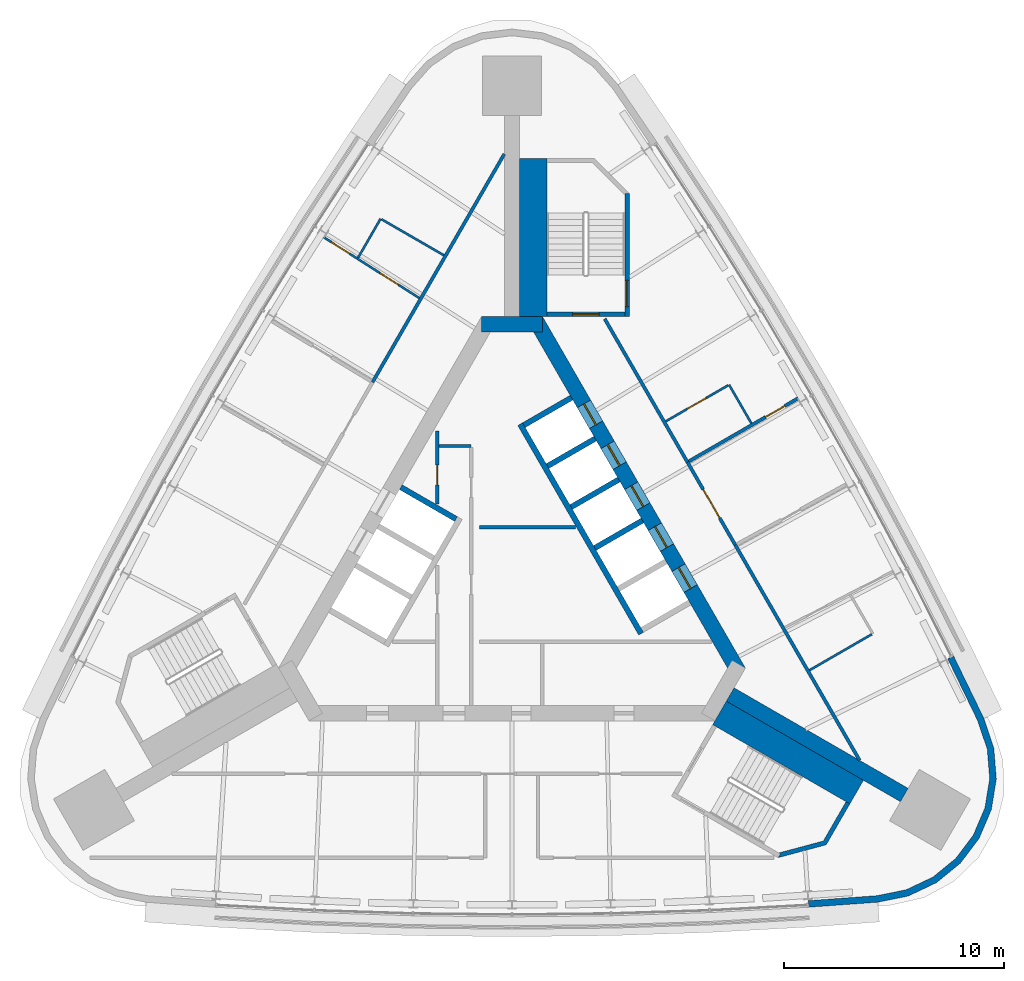
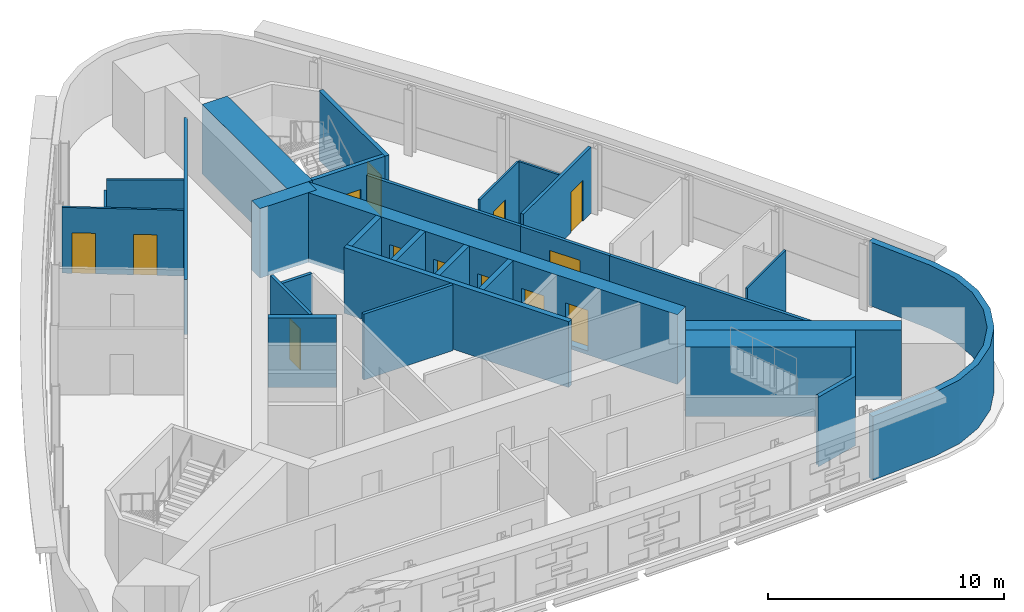
# One storey, part 8 of 10: 29 walls, 13 doors, 13 openings.
"""IFC4 building model written with IfcOpenShell, lengths in metres."""

from ifc_helpers import new_model, si_unit, direction, frame, frame_2d, origin, place, context, subcontext, project, spatial, polyline, rectangle, outline, extrude, material, layer, layer_set, type_object, element, fill, save


model = new_model("IFC4")

# Units and contexts
model_context = context("Model", 3, precision=1e-05, world=origin(), true_north=direction((0.0, 1.0)))
body_context = subcontext(model_context, "Body", "Model", "MODEL_VIEW")
ifc_project = project(units=[si_unit("LENGTHUNIT", "METRE"), si_unit("AREAUNIT", "SQUARE_METRE"), si_unit("VOLUMEUNIT", "CUBIC_METRE"), si_unit("PLANEANGLEUNIT", "RADIAN"), si_unit("MASSUNIT", "GRAM", prefix="KILO")], contexts=[model_context])

# Site, building, storey
site_placement = place(None, origin())
site = spatial("IfcSite", under=ifc_project, at=site_placement, CompositionType="ELEMENT")
building_placement = place(site_placement, origin())
building = spatial("IfcBuilding", under=site, at=building_placement, Name="Noor Cloister Tower", CompositionType="ELEMENT")
storey_placement = place(building_placement, frame((0.0, 0.0, 192.300048828125)))
storey = spatial("IfcBuildingStorey", under=building, at=storey_placement, Name="L49", CompositionType="ELEMENT", Elevation=192.300048828125)

# Wall
ifc_material_1 = material(Name="Concrete C70/85", Category="concrete")
ifc_layer_1 = layer(ifc_material_1, 0.699951171875)
ifc_layer_set_1 = layer_set([ifc_layer_1], Name="Buttress wall 700 C70/85")
wall_type_1 = type_object("IfcWallType", Name="Buttress wall 700 C70/85", PredefinedType="SHEAR", material=ifc_layer_set_1)
wall_1_placement = place(storey_placement, frame((9.921630859375, -5.728271484375, -0.199951171875), z_axis=(0.0, 0.0, 1.0), x_axis=(0.866026421479, -0.499998237297, 0.0)))
element("IfcWall", 1, at=wall_1_placement, inside=storey, type_object=wall_type_1, Name="Buttress wall SE L49", PredefinedType="SHEAR", context=body_context, shape_type="SweptSolid", body=[
    extrude(rectangle(XDim=9.14453125, YDim=0.699951171875, at=frame_2d((4.572265625, 0.0))), origin(), (0.0, 0.0, 1.0), 3.599853515625),
])

# Wall, opening, door
ifc_material_2 = material(Name="Concrete C30/37", Category="concrete")
ifc_layer_2 = layer(ifc_material_2, 0.14990234375)
ifc_layer_set_2 = layer_set([ifc_layer_2], Name="Core partition 150 C30/37")
wall_type_2 = type_object("IfcWallType", Name="Core partition 150 C30/37", PredefinedType="PARTITIONING", material=ifc_layer_set_2)
wall_2_placement = place(storey_placement, frame((-3.40380859375, 6.260986328125, 0.0), z_axis=(0.0, 0.0, 1.0), x_axis=(0.0, -1.0, 0.0)))
wall_2 = element("IfcWall", 2, at=wall_2_placement, inside=storey, type_object=wall_type_2, Name="Core room partition L49 3", PredefinedType="PARTITIONING", context=body_context, shape_type="SweptSolid", body=[
    extrude(rectangle(XDim=3.3271484375, YDim=0.14990234375, at=frame_2d((1.66357421875, 0.0))), origin(), (0.0, 0.0, 1.0), 3.39990234375),
])
opening_1_placement = place(wall_2_placement, frame((1.55712890625, 0.0, 0.0)))
opening_1 = element("IfcOpeningElement", 3, at=opening_1_placement, cuts=wall_2, Name="Opening L49-907", PredefinedType="OPENING", context=body_context, shape_type="SweptSolid", body=[
    extrude(rectangle(XDim=0.89990234375, YDim=2.10009765625, at=frame_2d((0.449951171875, 1.050048828125))), frame((0.0, 0.0849609375, 0.0), z_axis=(0.0, -1.0, 0.0), x_axis=(1.0, 0.0, 0.0)), (0.0, 0.0, 1.0), 0.169921875),
])
ifc_material_3 = material(Name="Steel", Category="steel")
door_type_1 = type_object("IfcDoorType", Name="Core door 900 x 2100 FD120", OperationType="SINGLE_SWING_LEFT", PredefinedType="DOOR", material=ifc_material_3)
door_1_placement = place(opening_1_placement, origin())
door_1 = element("IfcDoor", 4, at=door_1_placement, inside=storey, type_object=door_type_1, Name="Core door 7 L49", OperationType="SINGLE_SWING_LEFT", OverallHeight=2.10009765625, OverallWidth=0.89990234375, PredefinedType="DOOR", context=body_context, shape_type="SweptSolid", body=[
    extrude(rectangle(XDim=0.89990234375, YDim=2.10009765625, at=frame_2d((0.449951171875, 1.050048828125))), frame((0.0, 0.02490234375, 0.0), z_axis=(0.0, -1.0, 0.0), x_axis=(1.0, 0.0, 0.0)), (0.0, 0.0, 1.0), 0.050048828125),
])
fill(opening_1, door_1)

# Walls
wall_3_placement = place(storey_placement, frame((-3.32861328125, 5.57177734375, 0.0), z_axis=(0.0, 0.0, 1.0), x_axis=(1.0, 0.0, 0.0)))
element("IfcWall", 5, at=wall_3_placement, inside=storey, type_object=wall_type_2, Name="Core room partition L49 4", PredefinedType="PARTITIONING", context=body_context, shape_type="SweptSolid", body=[
    extrude(rectangle(XDim=1.474853515625, YDim=0.14990234375, at=frame_2d((0.7373046875, 0.0))), origin(), (0.0, 0.0, 1.0), 3.39990234375),
])
wall_4_placement = place(storey_placement, frame((-1.478759765625, 1.871826171875, 0.0), z_axis=(0.0, 0.0, 1.0), x_axis=(1.0, 0.0, 0.0)))
element("IfcWall", 6, at=wall_4_placement, inside=storey, type_object=wall_type_2, Name="Core room partition L49 7", PredefinedType="PARTITIONING", context=body_context, shape_type="SweptSolid", body=[
    extrude(rectangle(XDim=4.369384765625, YDim=0.14990234375, at=frame_2d((2.1845703125, 0.0))), origin(), (0.0, 0.0, 1.0), 3.39990234375),
])

# Wall, openings, doors
ifc_material_4 = material(Name="Concrete C70/85", Category="concrete")
ifc_layer_3 = layer(ifc_material_4, 0.699951171875)
ifc_layer_set_3 = layer_set([ifc_layer_3], Name="Core wall 700 C70/85")
wall_type_3 = type_object("IfcWallType", Name="Core wall 700 C70/85", PredefinedType="SHEAR", material=ifc_layer_set_3)
wall_5_placement = place(storey_placement, frame((10.311279296875, -4.703125, -0.199951171875), z_axis=(0.0, 0.0, 1.0), x_axis=(-0.500001446645, 0.866024568562, 0.0)))
wall_5 = element("IfcWall", 7, at=wall_5_placement, inside=storey, type_object=wall_type_3, Name="Core wall L49 3", PredefinedType="SHEAR", context=body_context, shape_type="SweptSolid", body=[
    extrude(rectangle(XDim=18.45751953125, YDim=0.699951171875, at=frame_2d((9.228759765625, 0.0))), origin(), (0.0, 0.0, 1.0), 3.599853515625),
])
opening_2_placement = place(wall_5_placement, frame((4.378662109375, 0.0, 0.199951171875)))
opening_2 = element("IfcOpeningElement", 8, at=opening_2_placement, cuts=wall_5, Name="Opening L49-HR1", PredefinedType="OPENING", context=body_context, shape_type="SweptSolid", body=[
    extrude(rectangle(XDim=1.10009765625, YDim=2.10009765625, at=frame_2d((0.550048828125, 1.050048828125))), frame((0.0, 0.35986328125, 0.0), z_axis=(0.0, -1.0, 0.0), x_axis=(1.0, 0.0, 0.0)), (0.0, 0.0, 1.0), 0.719970703125),
])
opening_3_placement = place(wall_5_placement, frame((6.52880859375, 0.0, 0.199951171875)))
opening_3 = element("IfcOpeningElement", 9, at=opening_3_placement, cuts=wall_5, Name="Opening L49-HR2", PredefinedType="OPENING", context=body_context, shape_type="SweptSolid", body=[
    extrude(rectangle(XDim=1.10009765625, YDim=2.10009765625, at=frame_2d((0.550048828125, 1.050048828125))), frame((0.0, 0.35986328125, 0.0), z_axis=(0.0, -1.0, 0.0), x_axis=(1.0, 0.0, 0.0)), (0.0, 0.0, 1.0), 0.719970703125),
])
opening_4_placement = place(wall_5_placement, frame((8.6787109375, 0.0, 0.199951171875)))
opening_4 = element("IfcOpeningElement", 10, at=opening_4_placement, cuts=wall_5, Name="Opening L49-HR3", PredefinedType="OPENING", context=body_context, shape_type="SweptSolid", body=[
    extrude(rectangle(XDim=1.10009765625, YDim=2.10009765625, at=frame_2d((0.550048828125, 1.050048828125))), frame((0.0, 0.35986328125, 0.0), z_axis=(0.0, -1.0, 0.0), x_axis=(1.0, 0.0, 0.0)), (0.0, 0.0, 1.0), 0.719970703125),
])
opening_5_placement = place(wall_5_placement, frame((10.82861328125, 0.0, 0.199951171875)))
opening_5 = element("IfcOpeningElement", 11, at=opening_5_placement, cuts=wall_5, Name="Opening L49-HR4", PredefinedType="OPENING", context=body_context, shape_type="SweptSolid", body=[
    extrude(rectangle(XDim=1.10009765625, YDim=2.10009765625, at=frame_2d((0.550048828125, 1.050048828125))), frame((0.0, 0.35986328125, 0.0), z_axis=(0.0, -1.0, 0.0), x_axis=(1.0, 0.0, 0.0)), (0.0, 0.0, 1.0), 0.719970703125),
])
opening_6_placement = place(wall_5_placement, frame((12.978759765625, 0.0, 0.199951171875)))
opening_6 = element("IfcOpeningElement", 12, at=opening_6_placement, cuts=wall_5, Name="Opening L49-HR5", PredefinedType="OPENING", context=body_context, shape_type="SweptSolid", body=[
    extrude(rectangle(XDim=1.10009765625, YDim=2.10009765625, at=frame_2d((0.550048828125, 1.050048828125))), frame((0.0, 0.35986328125, 0.0), z_axis=(0.0, -1.0, 0.0), x_axis=(1.0, 0.0, 0.0)), (0.0, 0.0, 1.0), 0.719970703125),
])
ifc_material_5 = material(Name="Stainless steel", Category="steel")
door_type_2 = type_object("IfcDoorType", Name="Lift landing door 1100 x 2100", OperationType="DOUBLE_DOOR_SLIDING", PredefinedType="DOOR", material=ifc_material_5)
door_2_placement = place(opening_2_placement, origin())
door_2 = element("IfcDoor", 13, at=door_2_placement, inside=storey, type_object=door_type_2, Name="Landing door HR1 L49", OperationType="DOUBLE_DOOR_SLIDING", OverallHeight=2.10009765625, OverallWidth=1.10009765625, PredefinedType="DOOR", context=body_context, shape_type="SweptSolid", body=[
    extrude(rectangle(XDim=1.10009765625, YDim=2.10009765625, at=frame_2d((0.550048828125, 1.050048828125))), frame((0.0, 0.02490234375, 0.0), z_axis=(0.0, -1.0, 0.0), x_axis=(1.0, 0.0, 0.0)), (0.0, 0.0, 1.0), 0.050048828125),
])
fill(opening_2, door_2)
door_3_placement = place(opening_3_placement, origin())
door_3 = element("IfcDoor", 14, at=door_3_placement, inside=storey, type_object=door_type_2, Name="Landing door HR2 L49", OperationType="DOUBLE_DOOR_SLIDING", OverallHeight=2.10009765625, OverallWidth=1.10009765625, PredefinedType="DOOR", context=body_context, shape_type="SweptSolid", body=[
    extrude(rectangle(XDim=1.10009765625, YDim=2.10009765625, at=frame_2d((0.550048828125, 1.050048828125))), frame((0.0, 0.02490234375, 0.0), z_axis=(0.0, -1.0, 0.0), x_axis=(1.0, 0.0, 0.0)), (0.0, 0.0, 1.0), 0.050048828125),
])
fill(opening_3, door_3)
door_4_placement = place(opening_4_placement, origin())
door_4 = element("IfcDoor", 15, at=door_4_placement, inside=storey, type_object=door_type_2, Name="Landing door HR3 L49", OperationType="DOUBLE_DOOR_SLIDING", OverallHeight=2.10009765625, OverallWidth=1.10009765625, PredefinedType="DOOR", context=body_context, shape_type="SweptSolid", body=[
    extrude(rectangle(XDim=1.10009765625, YDim=2.10009765625, at=frame_2d((0.550048828125, 1.050048828125))), frame((0.0, 0.02490234375, 0.0), z_axis=(0.0, -1.0, 0.0), x_axis=(1.0, 0.0, 0.0)), (0.0, 0.0, 1.0), 0.050048828125),
])
fill(opening_4, door_4)
door_5_placement = place(opening_5_placement, origin())
door_5 = element("IfcDoor", 16, at=door_5_placement, inside=storey, type_object=door_type_2, Name="Landing door HR4 L49", OperationType="DOUBLE_DOOR_SLIDING", OverallHeight=2.10009765625, OverallWidth=1.10009765625, PredefinedType="DOOR", context=body_context, shape_type="SweptSolid", body=[
    extrude(rectangle(XDim=1.10009765625, YDim=2.10009765625, at=frame_2d((0.550048828125, 1.050048828125))), frame((0.0, 0.02490234375, 0.0), z_axis=(0.0, -1.0, 0.0), x_axis=(1.0, 0.0, 0.0)), (0.0, 0.0, 1.0), 0.050048828125),
])
fill(opening_5, door_5)
door_6_placement = place(opening_6_placement, origin())
door_6 = element("IfcDoor", 17, at=door_6_placement, inside=storey, type_object=door_type_2, Name="Landing door HR5 L49", OperationType="DOUBLE_DOOR_SLIDING", OverallHeight=2.10009765625, OverallWidth=1.10009765625, PredefinedType="DOOR", context=body_context, shape_type="SweptSolid", body=[
    extrude(rectangle(XDim=1.10009765625, YDim=2.10009765625, at=frame_2d((0.550048828125, 1.050048828125))), frame((0.0, 0.02490234375, 0.0), z_axis=(0.0, -1.0, 0.0), x_axis=(1.0, 0.0, 0.0)), (0.0, 0.0, 1.0), 0.050048828125),
])
fill(opening_6, door_6)

# Walls
wall_6_placement = place(storey_placement, frame((1.3857421875, 11.1064453125, -0.199951171875), z_axis=(0.0, 0.0, 1.0), x_axis=(-1.0, 0.0, 0.0)))
element("IfcWall", 18, at=wall_6_placement, inside=storey, type_object=wall_type_3, Name="Core wall L49 4", PredefinedType="SHEAR", context=body_context, shape_type="SweptSolid", body=[
    extrude(rectangle(XDim=2.771484375, YDim=0.699951171875, at=frame_2d((1.3857421875, 0.0))), origin(), (0.0, 0.0, 1.0), 3.599853515625),
])
ifc_material_6 = material(Name="Fire-rated gypsum board partition on steel studs, 150 mm", Category="steel")
ifc_layer_4 = layer(ifc_material_6, 0.14990234375)
ifc_layer_set_4 = layer_set([ifc_layer_4], Name="Fire lobby wall 150")
wall_type_4 = type_object("IfcWallType", Name="Fire lobby wall 150", PredefinedType="PARTITIONING", material=ifc_layer_set_4)
wall_7_placement = place(storey_placement, frame((-0.35009765625, 18.85009765625, 0.0), z_axis=(0.0, 0.0, 1.0), x_axis=(-0.500000553364, -0.866025084299, 0.0)))
element("IfcWall", 19, at=wall_7_placement, inside=storey, type_object=wall_type_4, Name="Wall L49-W18", PredefinedType="PARTITIONING", context=body_context, shape_type="SweptSolid", body=[
    extrude(rectangle(XDim=11.9814453125, YDim=0.14990234375, at=frame_2d((5.99072265625, 0.0))), origin(), (0.0, 0.0, 1.0), 2.85205078125),
])
ifc_material_7 = material(Name="Gypsum board partition on steel studs, 150 mm", Category="steel")
ifc_layer_5 = layer(ifc_material_7, 0.14990234375)
ifc_layer_set_5 = layer_set([ifc_layer_5], Name="Flat wall 150")
wall_type_5 = type_object("IfcWallType", Name="Flat wall 150", PredefinedType="PARTITIONING", material=ifc_layer_set_5)
wall_8_placement = place(storey_placement, frame((15.806884765625, -8.721923828125, 0.0), z_axis=(0.0, 0.0, 1.0), x_axis=(-0.500004300164, 0.866022921069, 0.0)))
element("IfcWall", 20, at=wall_8_placement, inside=storey, type_object=wall_type_5, Name="Wall L49-W01", PredefinedType="PARTITIONING", context=body_context, shape_type="SweptSolid", body=[
    extrude(rectangle(XDim=11.29736328125, YDim=0.14990234375, at=frame_2d((5.648681640625, 0.0))), origin(), (0.0, 0.0, 1.0), 2.85205078125),
])
wall_9_placement = place(storey_placement, frame((7.978515625, 4.83740234375, 0.0), z_axis=(0.0, 0.0, 1.0), x_axis=(-0.500014427086, 0.866017074142, 0.0)))
element("IfcWall", 21, at=wall_9_placement, inside=storey, type_object=wall_type_5, Name="Wall L49-W02", PredefinedType="PARTITIONING", context=body_context, shape_type="SweptSolid", body=[
    extrude(rectangle(XDim=7.527587890625, YDim=0.14990234375, at=frame_2d((3.763671875, 0.0))), origin(), (0.0, 0.0, 1.0), 2.85205078125),
])

# Wall, opening, door
wall_10_placement = place(storey_placement, frame((13.01171875, 7.7431640625, 0.0), z_axis=(0.0, 0.0, 1.0), x_axis=(-0.866026840724, -0.499997511139, 0.0)))
wall_10 = element("IfcWall", 22, at=wall_10_placement, inside=storey, type_object=wall_type_5, Name="Wall L49-W04", PredefinedType="PARTITIONING", context=body_context, shape_type="SweptSolid", body=[
    extrude(rectangle(XDim=5.73681640625, YDim=0.14990234375, at=frame_2d((2.868408203125, 0.0))), origin(), (0.0, 0.0, 1.0), 3.39990234375),
])
opening_7_placement = place(wall_10_placement, frame((0.705810546875, 0.0, 0.0)))
opening_7 = element("IfcOpeningElement", 23, at=opening_7_placement, cuts=wall_10, Name="Opening L49-006", PredefinedType="OPENING", context=body_context, shape_type="SweptSolid", body=[
    extrude(rectangle(XDim=1.0, YDim=2.10009765625, at=frame_2d((0.5, 1.050048828125))), frame((0.0, 0.0849609375, 0.0), z_axis=(0.0, -1.0, 0.0), x_axis=(1.0, 0.0, 0.0)), (0.0, 0.0, 1.0), 0.169921875),
])
ifc_material_8 = material(Name="Timber door leaf with steel frame", Category="steel")
door_type_3 = type_object("IfcDoorType", Name="Flat entrance door 1000", OperationType="NOTDEFINED", PredefinedType="DOOR", material=ifc_material_8)
door_7_placement = place(opening_7_placement, origin())
door_7 = element("IfcDoor", 24, at=door_7_placement, inside=storey, type_object=door_type_3, Name="Door L49-006", OperationType="SINGLE_SWING_RIGHT", OverallHeight=2.10009765625, OverallWidth=1.0, PredefinedType="DOOR", context=body_context, shape_type="SweptSolid", body=[
    extrude(rectangle(XDim=1.0, YDim=2.10009765625, at=frame_2d((0.5, 1.050048828125))), frame((0.0, 0.02490234375, 0.0), z_axis=(0.0, -1.0, 0.0), x_axis=(1.0, 0.0, 0.0)), (0.0, 0.0, 1.0), 0.050048828125),
])
fill(opening_7, door_7)

wall_11_placement = place(storey_placement, frame((10.158203125, 1.061767578125, 0.0), z_axis=(0.0, 0.0, 1.0), x_axis=(-0.499969679245, 0.866042908773, 0.0)))
wall_11 = element("IfcWall", 25, at=wall_11_placement, inside=storey, type_object=wall_type_5, Name="Wall L49-W05", PredefinedType="PARTITIONING", context=body_context, shape_type="SweptSolid", body=[
    extrude(rectangle(XDim=4.359619140625, YDim=0.14990234375, at=frame_2d((2.1796875, 0.0))), origin(), (0.0, 0.0, 1.0), 2.85205078125),
])
opening_8_placement = place(wall_11_placement, frame((1.429931640625, 0.0, 0.0)))
opening_8 = element("IfcOpeningElement", 26, at=opening_8_placement, cuts=wall_11, Name="Opening L49-001", PredefinedType="OPENING", context=body_context, shape_type="SweptSolid", body=[
    extrude(rectangle(XDim=1.5, YDim=2.10009765625, at=frame_2d((0.75, 1.050048828125))), frame((0.0, 0.0849609375, 0.0), z_axis=(0.0, -1.0, 0.0), x_axis=(1.0, 0.0, 0.0)), (0.0, 0.0, 1.0), 0.169921875),
])
ifc_material_9 = material(Name="Timber door leaf with steel frame", Category="steel")
door_type_4 = type_object("IfcDoorType", Name="Double door 1500 FD60", OperationType="NOTDEFINED", PredefinedType="DOOR", material=ifc_material_9)
door_8_placement = place(opening_8_placement, origin())
door_8 = element("IfcDoor", 27, at=door_8_placement, inside=storey, type_object=door_type_4, Name="Door L49-001", OperationType="DOUBLE_DOOR_SINGLE_SWING", OverallHeight=2.10009765625, OverallWidth=1.5, PredefinedType="DOOR", context=body_context, shape_type="SweptSolid", body=[
    extrude(rectangle(XDim=1.5, YDim=2.10009765625, at=frame_2d((0.75, 1.050048828125))), frame((0.0, 0.02490234375, 0.0), z_axis=(0.0, -1.0, 0.0), x_axis=(1.0, 0.0, 0.0)), (0.0, 0.0, 1.0), 0.050048828125),
])
fill(opening_8, door_8)

# Walls
ifc_material_10 = material(Name="Limestone", Category="masonry")
ifc_layer_6 = layer(ifc_material_10, 0.300048828125)
ifc_layer_set_6 = layer_set([ifc_layer_6], Name="Limestone cladding 300")
wall_type_6 = type_object("IfcWallType", Name="Limestone cladding 300", PredefinedType="NOTDEFINED", material=ifc_layer_set_6)
wall_12_placement = place(storey_placement, origin())
element("IfcWall", 28, at=wall_12_placement, inside=storey, type_object=wall_type_6, Name="Limestone pier cladding L49 2.1", PredefinedType="NOTDEFINED", context=body_context, shape_type="SweptSolid", body=[
    extrude(outline(polyline([(13.490478515625, -15.404052734375), (16.640869140625, -15.17529296875), (18.025146484375, -14.893310546875), (19.301513671875, -14.2880859375), (20.39599609375, -13.394775390625), (21.24462890625, -12.265625), (21.798095703125, -10.966064453125), (22.024658203125, -9.571533203125), (21.910400390625, -8.16357421875), (21.462646484375, -6.823974609375), (20.085693359375, -3.98095703125), (19.815673828125, -4.11181640625), (21.184326171875, -6.937255859375), (21.614501953125, -8.22412109375), (21.72265625, -9.5595703125), (21.5078125, -10.8818359375), (20.98291015625, -12.114501953125), (20.177978515625, -13.185546875), (19.14013671875, -14.032470703125), (17.929443359375, -14.6064453125), (16.60009765625, -14.87744140625), (13.46875, -15.10498046875), (13.490478515625, -15.404052734375)])), origin(), (0.0, 0.0, 1.0), 3.300048828125),
])
ifc_material_11 = material(Name="Gypsum board partition on steel studs, 100 mm", Category="steel")
ifc_layer_7 = layer(ifc_material_11, 0.10009765625)
ifc_layer_set_7 = layer_set([ifc_layer_7], Name="Partition 100")
wall_type_7 = type_object("IfcWallType", Name="Partition 100", PredefinedType="PARTITIONING", material=ifc_layer_set_7)
wall_13_placement = place(storey_placement, frame((16.364990234375, -2.988525390625, 0.0), z_axis=(0.0, 0.0, 1.0), x_axis=(-0.866027924134, -0.499995634601, 0.0)))
element("IfcWall", 29, at=wall_13_placement, inside=storey, type_object=wall_type_7, Name="Wall L49-W08", PredefinedType="PARTITIONING", context=body_context, shape_type="SweptSolid", body=[
    extrude(rectangle(XDim=3.27490234375, YDim=0.10009765625, at=frame_2d((1.637451171875, 0.0))), origin(), (0.0, 0.0, 1.0), 3.39990234375),
])
wall_14_placement = place(storey_placement, frame((10.885498046875, 6.602294921875, 0.0), z_axis=(0.0, 0.0, 1.0), x_axis=(-0.499990325971, 0.866030989016, 0.0)))
element("IfcWall", 30, at=wall_14_placement, inside=storey, type_object=wall_type_7, Name="Wall L49-W09", PredefinedType="PARTITIONING", context=body_context, shape_type="SweptSolid", body=[
    extrude(rectangle(XDim=2.02490234375, YDim=0.10009765625, at=frame_2d((1.012451171875, 0.0))), origin(), (0.0, 0.0, 1.0), 3.39990234375),
])

# Wall, opening, door
wall_15_placement = place(storey_placement, frame((9.82958984375, 8.3310546875, 0.0), z_axis=(0.0, 0.0, 1.0), x_axis=(-0.865995643347, -0.500051543047, 0.0)))
wall_15 = element("IfcWall", 31, at=wall_15_placement, inside=storey, type_object=wall_type_7, Name="Wall L49-W10", PredefinedType="PARTITIONING", context=body_context, shape_type="SweptSolid", body=[
    extrude(rectangle(XDim=3.275146484375, YDim=0.10009765625, at=frame_2d((1.6376953125, 0.0))), origin(), (0.0, 0.0, 1.0), 3.39990234375),
])
opening_9_placement = place(wall_15_placement, frame((1.14990234375, 0.0, 0.0)))
opening_9 = element("IfcOpeningElement", 32, at=opening_9_placement, cuts=wall_15, Name="Opening L49-005", PredefinedType="OPENING", context=body_context, shape_type="SweptSolid", body=[
    extrude(rectangle(XDim=1.0, YDim=2.10009765625, at=frame_2d((0.5, 1.050048828125))), frame((0.0, 0.06005859375, 0.0), z_axis=(0.0, -1.0, 0.0), x_axis=(1.0, 0.0, 0.0)), (0.0, 0.0, 1.0), 0.1201171875),
])
ifc_material_12 = material(Name="Timber door leaf with steel frame", Category="steel")
door_type_5 = type_object("IfcDoorType", Name="Interior door 1000", OperationType="NOTDEFINED", PredefinedType="DOOR", material=ifc_material_12)
door_9_placement = place(opening_9_placement, origin())
door_9 = element("IfcDoor", 33, at=door_9_placement, inside=storey, type_object=door_type_5, Name="Door L49-005", OperationType="SINGLE_SWING_LEFT", OverallHeight=2.10009765625, OverallWidth=1.0, PredefinedType="DOOR", context=body_context, shape_type="SweptSolid", body=[
    extrude(rectangle(XDim=1.0, YDim=2.10009765625, at=frame_2d((0.5, 1.050048828125))), frame((0.0, 0.02490234375, 0.0), z_axis=(0.0, -1.0, 0.0), x_axis=(1.0, 0.0, 0.0)), (0.0, 0.0, 1.0), 0.050048828125),
])
fill(opening_9, door_9)

# Wall, openings, doors
wall_16_placement = place(storey_placement, frame((-8.567626953125, 15.06982421875, 0.0), z_axis=(0.0, 0.0, 1.0), x_axis=(0.843577645789, -0.537007221111, 0.0)))
wall_16 = element("IfcWall", 34, at=wall_16_placement, inside=storey, type_object=wall_type_7, Name="Wall L49-W23", PredefinedType="PARTITIONING", context=body_context, shape_type="SweptSolid", body=[
    extrude(rectangle(XDim=5.156494140625, YDim=0.10009765625, at=frame_2d((2.578125, 0.0))), origin(), (0.0, 0.0, 1.0), 3.39990234375),
])
opening_10_placement = place(wall_16_placement, frame((0.4140625, 0.0, 0.0)))
opening_10 = element("IfcOpeningElement", 35, at=opening_10_placement, cuts=wall_16, Name="Opening L49-013", PredefinedType="OPENING", context=body_context, shape_type="SweptSolid", body=[
    extrude(rectangle(XDim=1.0, YDim=2.10009765625, at=frame_2d((0.5, 1.050048828125))), frame((0.0, 0.06005859375, 0.0), z_axis=(0.0, -1.0, 0.0), x_axis=(1.0, 0.0, 0.0)), (0.0, 0.0, 1.0), 0.1201171875),
])
opening_11_placement = place(wall_16_placement, frame((3.02978515625, 0.0, 0.0)))
opening_11 = element("IfcOpeningElement", 36, at=opening_11_placement, cuts=wall_16, Name="Opening L49-014", PredefinedType="OPENING", context=body_context, shape_type="SweptSolid", body=[
    extrude(rectangle(XDim=1.0, YDim=2.10009765625, at=frame_2d((0.5, 1.050048828125))), frame((0.0, 0.06005859375, 0.0), z_axis=(0.0, -1.0, 0.0), x_axis=(1.0, 0.0, 0.0)), (0.0, 0.0, 1.0), 0.1201171875),
])
door_10_placement = place(opening_10_placement, origin())
door_10 = element("IfcDoor", 37, at=door_10_placement, inside=storey, type_object=door_type_5, Name="Door L49-013", OperationType="SINGLE_SWING_LEFT", OverallHeight=2.10009765625, OverallWidth=1.0, PredefinedType="DOOR", context=body_context, shape_type="SweptSolid", body=[
    extrude(rectangle(XDim=1.0, YDim=2.10009765625, at=frame_2d((0.5, 1.050048828125))), frame((0.0, 0.02490234375, 0.0), z_axis=(0.0, -1.0, 0.0), x_axis=(1.0, 0.0, 0.0)), (0.0, 0.0, 1.0), 0.050048828125),
])
fill(opening_10, door_10)
door_11_placement = place(opening_11_placement, origin())
door_11 = element("IfcDoor", 38, at=door_11_placement, inside=storey, type_object=door_type_5, Name="Door L49-014", OperationType="SINGLE_SWING_RIGHT", OverallHeight=2.10009765625, OverallWidth=1.0, PredefinedType="DOOR", context=body_context, shape_type="SweptSolid", body=[
    extrude(rectangle(XDim=1.0, YDim=2.10009765625, at=frame_2d((0.5, 1.050048828125))), frame((0.0, 0.02490234375, 0.0), z_axis=(0.0, -1.0, 0.0), x_axis=(1.0, 0.0, 0.0)), (0.0, 0.0, 1.0), 0.050048828125),
])
fill(opening_11, door_11)

# Walls
wall_17_placement = place(storey_placement, frame((-7.00048828125, 14.13134765625, 0.0), z_axis=(0.0, 0.0, 1.0), x_axis=(0.500045446624, 0.865999163574, 0.0)))
element("IfcWall", 39, at=wall_17_placement, inside=storey, type_object=wall_type_7, Name="Wall L49-W24", PredefinedType="PARTITIONING", context=body_context, shape_type="SweptSolid", body=[
    extrude(rectangle(XDim=2.050048828125, YDim=0.10009765625, at=frame_2d((1.02490234375, 0.0))), origin(), (0.0, 0.0, 1.0), 2.85205078125),
])
wall_18_placement = place(storey_placement, frame((-5.93212890625, 15.881591796875, 0.0), z_axis=(0.0, 0.0, 1.0), x_axis=(0.866027924134, -0.499995634601, 0.0)))
element("IfcWall", 40, at=wall_18_placement, inside=storey, type_object=wall_type_7, Name="Wall L49-W25", PredefinedType="PARTITIONING", context=body_context, shape_type="SweptSolid", body=[
    extrude(rectangle(XDim=3.27490234375, YDim=0.10009765625, at=frame_2d((1.637451171875, 0.0))), origin(), (0.0, 0.0, 1.0), 3.39990234375),
])
ifc_material_13 = material(Name="Concrete C70/85", Category="concrete")
ifc_layer_8 = layer(ifc_material_13, 0.25)
ifc_layer_set_8 = layer_set([ifc_layer_8], Name="Shaft wall 250 C70/85")
wall_type_8 = type_object("IfcWallType", Name="Shaft wall 250 C70/85", PredefinedType="PARTITIONING", material=ifc_layer_set_8)
wall_19_placement = place(storey_placement, frame((5.931396484375, 2.18310546875, -0.199951171875), z_axis=(0.0, 0.0, 1.0), x_axis=(-0.866047370643, -0.499961950354, 0.0)))
element("IfcWall", 41, at=wall_19_placement, inside=storey, type_object=wall_type_8, Name="Lift shaft wall L49 NE 3", PredefinedType="PARTITIONING", context=body_context, shape_type="SweptSolid", body=[
    extrude(rectangle(XDim=2.500244140625, YDim=0.25, at=frame_2d((1.25, 0.0))), origin(), (0.0, 0.0, 1.0), 3.599853515625),
])
for number, where, z_axis, x_axis, name in (
    (42, (4.856201171875, 4.045166015625, -0.199951171875), (0.0, 0.0, 1.0), (-0.866022959057, -0.500004234368, 0.0), "Lift shaft wall L49 NE 4"),
    (43, (3.78125, 5.906982421875, -0.199951171875), (0.0, 0.0, 1.0), (-0.866022959057, -0.500004234368, 0.0), "Lift shaft wall L49 NE 5"),
    (44, (2.706298828125, 7.76904296875, -0.199951171875), (0.0, 0.0, 1.0), (-0.866022959057, -0.500004234368, 0.0), "Lift shaft wall L49 NE 6"),
):
    element("IfcWall", number, at=place(storey_placement, frame(where, z_axis=z_axis, x_axis=x_axis)), inside=storey, type_object=wall_type_8, Name=name, PredefinedType="PARTITIONING", context=body_context, shape_type="SweptSolid", body=[
        extrude(rectangle(XDim=2.5, YDim=0.25, at=frame_2d((1.25, 0.0))), origin(), (0.0, 0.0, 1.0), 3.599853515625),
    ])
wall_20_placement = place(storey_placement, frame((5.870361328125, -2.96142578125, 0.0), z_axis=(0.0, 0.0, 1.0), x_axis=(-0.50000615651, 0.866021849293, 0.0)))
element("IfcWall", 45, at=wall_20_placement, inside=storey, type_object=wall_type_8, Name="Lift shaft back wall L49 NE", PredefinedType="PARTITIONING", context=body_context, shape_type="SweptSolid", body=[
    extrude(rectangle(XDim=10.999755859375, YDim=0.25, at=frame_2d((5.5, 0.0))), origin(), (0.0, 0.0, 1.0), 3.39990234375),
])
wall_21_placement = place(storey_placement, frame((-5.056396484375, 3.69873046875, -0.199951171875), z_axis=(0.0, 0.0, 1.0), x_axis=(0.866032775405, -0.499987231761, 0.0)))
element("IfcWall", 46, at=wall_21_placement, inside=storey, type_object=wall_type_8, Name="Lift shaft wall L49 NW 3", PredefinedType="PARTITIONING", context=body_context, shape_type="SweptSolid", body=[
    extrude(rectangle(XDim=2.89990234375, YDim=0.25, at=frame_2d((1.449951171875, 0.0))), origin(), (0.0, 0.0, 1.0), 3.599853515625),
])
ifc_material_14 = material(Name="Concrete C70/85", Category="concrete")
ifc_layer_9 = layer(ifc_material_14, 1.236083984375)
ifc_layer_set_9 = layer_set([ifc_layer_9], Name="Stair enclosure wall 1236 C70/85")
wall_type_9 = type_object("IfcWallType", Name="Stair enclosure wall 1236 C70/85", PredefinedType="SHEAR", material=ifc_layer_set_9)
for number, where, z_axis, x_axis, name in (
    (47, (0.9677734375, 11.456298828125, -0.199951171875), (0.0, 0.0, 1.0), (0.0, 1.0, 0.0), "Stair enclosure wall ST1 L49 riser side"),
    (48, (9.4375, -6.56640625, -0.199951171875), (0.0, 0.0, 1.0), (0.866026919366, -0.499997374926, 0.0), "Stair enclosure wall ST3 L49 riser side"),
):
    element("IfcWall", number, at=place(storey_placement, frame(where, z_axis=z_axis, x_axis=x_axis)), inside=storey, type_object=wall_type_9, Name=name, PredefinedType="SHEAR", context=body_context, shape_type="SweptSolid", body=[
        extrude(rectangle(XDim=7.2001953125, YDim=1.235595703125, at=frame_2d((3.60009765625, 0.0))), origin(), (0.0, 0.0, 1.0), 3.599853515625),
    ])

# Wall, opening, door
ifc_material_15 = material(Name="Concrete C70/85", Category="concrete")
ifc_layer_10 = layer(ifc_material_15, 0.199951171875)
ifc_layer_set_10 = layer_set([ifc_layer_10], Name="Stair enclosure wall 200 C70/85")
wall_type_10 = type_object("IfcWallType", Name="Stair enclosure wall 200 C70/85", PredefinedType="SHEAR", material=ifc_layer_set_10)
wall_22_placement = place(storey_placement, frame((5.135498046875, 11.556396484375, -0.199951171875), z_axis=(0.0, 0.0, 1.0), x_axis=(-1.0, 0.0, 0.0)))
wall_22 = element("IfcWall", 49, at=wall_22_placement, inside=storey, type_object=wall_type_10, Name="Stair enclosure wall ST1 L49 near end", PredefinedType="SHEAR", context=body_context, shape_type="SweptSolid", body=[
    extrude(rectangle(XDim=3.5498046875, YDim=0.199951171875, at=frame_2d((1.77490234375, 0.0))), origin(), (0.0, 0.0, 1.0), 3.599853515625),
])
opening_12_placement = place(wall_22_placement, frame((1.175048828125, 0.0, 0.199951171875)))
opening_12 = element("IfcOpeningElement", 50, at=opening_12_placement, cuts=wall_22, Name="Opening L49-ST1L", PredefinedType="OPENING", context=body_context, shape_type="SweptSolid", body=[
    extrude(rectangle(XDim=1.199951171875, YDim=2.10009765625, at=frame_2d((0.60009765625, 1.050048828125))), frame((0.0, 0.10986328125, 0.0), z_axis=(0.0, -1.0, 0.0), x_axis=(1.0, 0.0, 0.0)), (0.0, 0.0, 1.0), 0.219970703125),
])
ifc_material_16 = material(Name="Steel", Category="steel")
door_type_6 = type_object("IfcDoorType", Name="Stair door 1200 x 2100 FD120", OperationType="SINGLE_SWING_LEFT", PredefinedType="DOOR", material=ifc_material_16)
door_12_placement = place(opening_12_placement, origin())
door_12 = element("IfcDoor", 51, at=door_12_placement, inside=storey, type_object=door_type_6, Name="Stair door ST1 L49", OperationType="SINGLE_SWING_RIGHT", OverallHeight=2.10009765625, OverallWidth=1.199951171875, PredefinedType="DOOR", context=body_context, shape_type="SweptSolid", body=[
    extrude(rectangle(XDim=1.199951171875, YDim=2.10009765625, at=frame_2d((0.60009765625, 1.050048828125))), frame((0.0, 0.02490234375, 0.0), z_axis=(0.0, -1.0, 0.0), x_axis=(1.0, 0.0, 0.0)), (0.0, 0.0, 1.0), 0.050048828125),
])
fill(opening_12, door_12)

wall_23_placement = place(storey_placement, frame((5.235595703125, 11.456298828125, -0.199951171875), z_axis=(0.0, 0.0, 1.0), x_axis=(0.0, 1.0, 0.0)))
wall_23 = element("IfcWall", 52, at=wall_23_placement, inside=storey, type_object=wall_type_10, Name="Stair enclosure wall ST1 L49 outer side", PredefinedType="SHEAR", context=body_context, shape_type="SweptSolid", body=[
    extrude(rectangle(XDim=5.60009765625, YDim=0.199951171875, at=frame_2d((2.800048828125, 0.0))), origin(), (0.0, 0.0, 1.0), 3.599853515625),
])
opening_13_placement = place(wall_23_placement, frame((0.449951171875, 0.0, 0.199951171875)))
opening_13 = element("IfcOpeningElement", 53, at=opening_13_placement, cuts=wall_23, Name="Opening L49-ST1C", PredefinedType="OPENING", context=body_context, shape_type="SweptSolid", body=[
    extrude(rectangle(XDim=1.199951171875, YDim=2.10009765625, at=frame_2d((0.60009765625, 1.050048828125))), frame((0.0, 0.10986328125, 0.0), z_axis=(0.0, -1.0, 0.0), x_axis=(1.0, 0.0, 0.0)), (0.0, 0.0, 1.0), 0.219970703125),
])
door_13_placement = place(opening_13_placement, origin())
door_13 = element("IfcDoor", 54, at=door_13_placement, inside=storey, type_object=door_type_6, Name="Stair door ST1 L49", OperationType="SINGLE_SWING_LEFT", OverallHeight=2.10009765625, OverallWidth=1.199951171875, PredefinedType="DOOR", context=body_context, shape_type="SweptSolid", body=[
    extrude(rectangle(XDim=1.199951171875, YDim=2.10009765625, at=frame_2d((0.60009765625, 1.050048828125))), frame((0.0, 0.02490234375, 0.0), z_axis=(0.0, -1.0, 0.0), x_axis=(1.0, 0.0, 0.0)), (0.0, 0.0, 1.0), 0.050048828125),
])
fill(opening_13, door_13)

# Wall
ifc_material_17 = material(Name="Concrete C70/85", Category="concrete")
wall_type_11 = type_object("IfcWallType", Name="Stair far end wall C70/85", PredefinedType="SHEAR", material=ifc_material_17)
wall_24_placement = place(storey_placement, frame((0.0, 0.0, -0.199951171875)))
element("IfcWall", 55, at=wall_24_placement, inside=storey, type_object=wall_type_11, Name="Stair enclosure wall ST3 L49 far end", PredefinedType="SHEAR", context=body_context, shape_type="SweptSolid", body=[
    extrude(outline(polyline([(12.103515625, -13.14892578125), (14.2890625, -12.5634765625), (15.364013671875, -10.701416015625), (15.19091796875, -10.601318359375), (14.1572265625, -12.3916015625), (12.131591796875, -12.934326171875), (12.20361328125, -12.975830078125), (12.20361328125, -12.975830078125), (12.20361328125, -12.975830078125), (12.20361328125, -12.975830078125), (12.20361328125, -12.975830078125), (12.20361328125, -12.975830078125), (12.20361328125, -12.975830078125), (12.20361328125, -12.975830078125), (12.20361328125, -12.975830078125), (12.20361328125, -12.975830078125), (12.20361328125, -12.975830078125), (12.20361328125, -12.975830078125), (12.20361328125, -12.975830078125), (12.20361328125, -12.975830078125), (12.20361328125, -12.975830078125), (12.20361328125, -12.975830078125), (12.20361328125, -12.975830078125), (12.103515625, -13.14892578125)])), origin(), (0.0, 0.0, 1.0), 3.599853515625),
])

save(model, "model.ifc")
